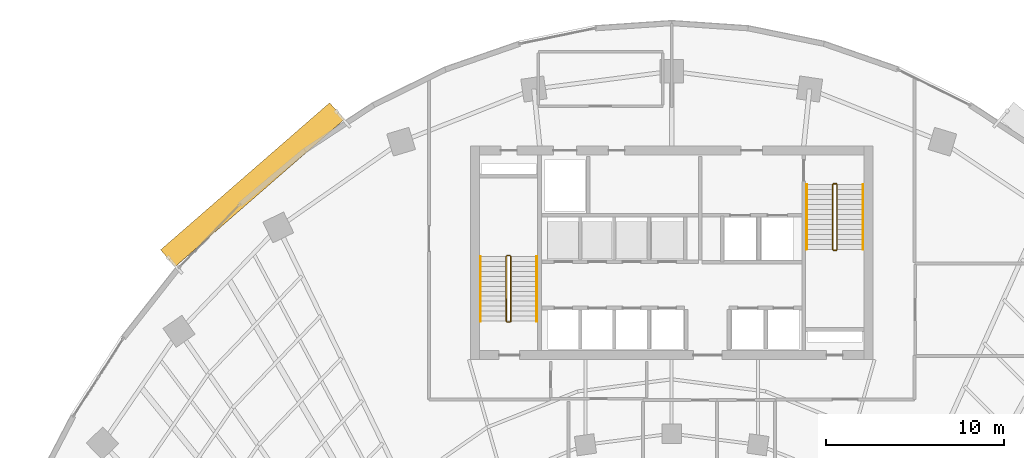
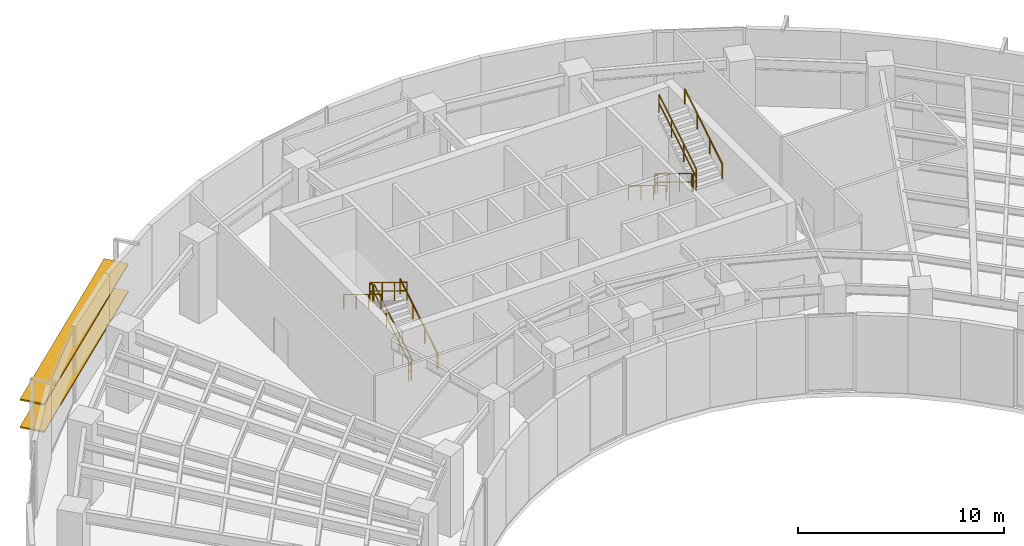
# One storey, part 13 of 15: 12 railings, 2 shading devices.
"""IFC4 building model written with IfcOpenShell, lengths in metres."""

from ifc_helpers import new_model, si_unit, direction, frame, origin, origin_2d, place, context, subcontext, project, spatial, rectangle, extrude, source, transform, mapped, material, material_profile, profile_set, type_object, element, save


model = new_model("IFC4")

# Units and contexts
model_context = context("Model", 3, precision=1e-05, world=origin(), true_north=direction((0.0, 1.0)))
body_context = subcontext(model_context, "Body", "Model", "MODEL_VIEW")
ifc_project = project(units=[si_unit("LENGTHUNIT", "METRE"), si_unit("AREAUNIT", "SQUARE_METRE"), si_unit("VOLUMEUNIT", "CUBIC_METRE"), si_unit("PLANEANGLEUNIT", "RADIAN"), si_unit("MASSUNIT", "GRAM", prefix="KILO")], contexts=[model_context])

# Site, building, storey
site_placement = place(None, origin())
site = spatial("IfcSite", under=ifc_project, at=site_placement, CompositionType="ELEMENT")
building_placement = place(site_placement, origin())
building = spatial("IfcBuilding", under=site, at=building_placement, Name="Breltana Convention Tower", CompositionType="ELEMENT")
storey_placement = place(building_placement, frame((0.0, 0.0, 91.199951171875)))
storey = spatial("IfcBuildingStorey", under=building, at=storey_placement, Name="L21", CompositionType="ELEMENT", Elevation=91.199951171875)

# Railings
ifc_material_1 = material(Name="Steel S275 Painted", Category="steel")
railing_type_1 = type_object("IfcRailingType", Name="RL-STAIR-GUARD-1100", PredefinedType="GUARDRAIL", material=ifc_material_1)
railing_1_placement = place(storey_placement, frame((38.9599609375, 62.360107421875, 0.17138671875)))
element("IfcRailing", 1, at=railing_1_placement, inside=storey, type_object=railing_type_1, Name="L21 ST-1 stair guard 1", PredefinedType="GUARDRAIL", context=body_context, shape_type="SweptSolid", body=[
    extrude(rectangle(XDim=0.048095703125, YDim=0.048095703125, at=origin_2d()), frame((0.0, 0.0, 1.076171875), z_axis=(0.0, 0.852824790078, 0.522197163366), x_axis=(-1.0, 0.0, 0.0)), (0.0, 0.0, 1.0), 4.26806640625),
    extrude(rectangle(XDim=0.048095703125, YDim=0.048095703125, at=origin_2d()), frame((0.0, 0.0, 0.572021484375), z_axis=(0.0, 0.852824790078, 0.522197163366), x_axis=(-1.0, 0.0, 0.0)), (0.0, 0.0, 1.0), 4.26806640625),
    extrude(rectangle(XDim=0.0419921875, YDim=0.0419921875, at=origin_2d()), origin(), (0.0, 0.0, 1.0), 1.052001953125),
    extrude(rectangle(XDim=0.0419921875, YDim=0.0419921875, at=origin_2d()), frame((0.0, 1.21337890625, 0.742919921875)), (0.0, 0.0, 1.0), 1.052001953125),
    extrude(rectangle(XDim=0.0419921875, YDim=0.0419921875, at=origin_2d()), frame((0.0, 2.426513671875, 1.48583984375)), (0.0, 0.0, 1.0), 1.052001953125),
    extrude(rectangle(XDim=0.0419921875, YDim=0.0419921875, at=origin_2d()), frame((0.0, 3.639892578125, 2.228759765625)), (0.0, 0.0, 1.0), 1.052001953125),
])
railing_2_placement = place(storey_placement, frame((38.909912109375, 66.050048828125, 2.400146484375)))
element("IfcRailing", 2, at=railing_2_placement, inside=storey, type_object=railing_type_1, Name="L21 ST-1 stair guard 2", PredefinedType="GUARDRAIL", context=body_context, shape_type="SweptSolid", body=[
    extrude(rectangle(XDim=0.048095703125, YDim=0.048095703125, at=origin_2d()), frame((0.0, 0.0, 1.076171875), z_axis=(-1.0, 0.0, 0.0), x_axis=(0.0, -1.0, 0.0)), (0.0, 0.0, 1.0), 0.14990234375),
    extrude(rectangle(XDim=0.048095703125, YDim=0.048095703125, at=origin_2d()), frame((0.0, 0.0, 0.572021484375), z_axis=(-1.0, 0.0, 0.0), x_axis=(0.0, -1.0, 0.0)), (0.0, 0.0, 1.0), 0.14990234375),
    extrude(rectangle(XDim=0.0419921875, YDim=0.0419921875, at=origin_2d()), origin(), (0.0, 0.0, 1.0), 1.052001953125),
    extrude(rectangle(XDim=0.0419921875, YDim=0.0419921875, at=origin_2d()), frame((-0.14990234375, 0.0, 0.0)), (0.0, 0.0, 1.0), 1.052001953125),
])
railing_3_placement = place(storey_placement, frame((38.7099609375, 66.0, 2.571533203125)))
element("IfcRailing", 3, at=railing_3_placement, inside=storey, type_object=railing_type_1, Name="L21 ST-1 stair guard 3", PredefinedType="GUARDRAIL", context=body_context, shape_type="SweptSolid", body=[
    extrude(rectangle(XDim=0.048095703125, YDim=0.048095703125, at=origin_2d()), frame((0.0, 0.0, 1.076171875), z_axis=(0.0, -0.852850264322, 0.5221555579), x_axis=(1.0, 0.0, 0.0)), (0.0, 0.0, 1.0), 4.267822265625),
    extrude(rectangle(XDim=0.048095703125, YDim=0.048095703125, at=origin_2d()), frame((0.0, 0.0, 0.572021484375), z_axis=(0.0, -0.852850264322, 0.5221555579), x_axis=(1.0, 0.0, 0.0)), (0.0, 0.0, 1.0), 4.267822265625),
    extrude(rectangle(XDim=0.0419921875, YDim=0.0419921875, at=origin_2d()), origin(), (0.0, 0.0, 1.0), 1.052001953125),
    extrude(rectangle(XDim=0.0419921875, YDim=0.0419921875, at=origin_2d()), frame((0.0, -1.21337890625, 0.742919921875)), (0.0, 0.0, 1.0), 1.052001953125),
    extrude(rectangle(XDim=0.0419921875, YDim=0.0419921875, at=origin_2d()), frame((0.0, -2.426513671875, 1.485595703125)), (0.0, 0.0, 1.0), 1.052001953125),
    extrude(rectangle(XDim=0.0419921875, YDim=0.0419921875, at=origin_2d()), frame((0.0, -3.639892578125, 2.228515625)), (0.0, 0.0, 1.0), 1.052001953125),
])
railing_4_placement = place(storey_placement, frame((38.909912109375, 62.31005859375, 0.0)))
element("IfcRailing", 4, at=railing_4_placement, inside=storey, type_object=railing_type_1, Name="L21 ST-1 stair guard 4", PredefinedType="GUARDRAIL", context=body_context, shape_type="SweptSolid", body=[
    extrude(rectangle(XDim=0.048095703125, YDim=0.048095703125, at=origin_2d()), frame((0.0, 0.0, 1.076171875), z_axis=(-1.0, 0.0, 0.0), x_axis=(0.0, -1.0, 0.0)), (0.0, 0.0, 1.0), 0.14990234375),
    extrude(rectangle(XDim=0.048095703125, YDim=0.048095703125, at=origin_2d()), frame((0.0, 0.0, 0.572021484375), z_axis=(-1.0, 0.0, 0.0), x_axis=(0.0, -1.0, 0.0)), (0.0, 0.0, 1.0), 0.14990234375),
    extrude(rectangle(XDim=0.0419921875, YDim=0.0419921875, at=origin_2d()), origin(), (0.0, 0.0, 1.0), 1.052001953125),
    extrude(rectangle(XDim=0.0419921875, YDim=0.0419921875, at=origin_2d()), frame((-0.14990234375, 0.0, 0.0)), (0.0, 0.0, 1.0), 1.052001953125),
])
railing_5_placement = place(storey_placement, frame((57.0400390625, 70.0400390625, 0.17138671875)))
element("IfcRailing", 5, at=railing_5_placement, inside=storey, type_object=railing_type_1, Name="L21 ST-2 stair guard 1", PredefinedType="GUARDRAIL", context=body_context, shape_type="SweptSolid", body=[
    extrude(rectangle(XDim=0.048095703125, YDim=0.048095703125, at=origin_2d()), frame((0.0, 0.0, 1.076171875), z_axis=(0.0, -0.852840387347, 0.522171689878), x_axis=(1.0, 0.0, 0.0)), (0.0, 0.0, 1.0), 4.268310546875),
    extrude(rectangle(XDim=0.048095703125, YDim=0.048095703125, at=origin_2d()), frame((0.0, 0.0, 0.572021484375), z_axis=(0.0, -0.852840387347, 0.522171689878), x_axis=(1.0, 0.0, 0.0)), (0.0, 0.0, 1.0), 4.268310546875),
    extrude(rectangle(XDim=0.0419921875, YDim=0.0419921875, at=origin_2d()), origin(), (0.0, 0.0, 1.0), 1.052001953125),
    extrude(rectangle(XDim=0.0419921875, YDim=0.0419921875, at=origin_2d()), frame((0.0, -1.21337890625, 0.742919921875)), (0.0, 0.0, 1.0), 1.052001953125),
    extrude(rectangle(XDim=0.0419921875, YDim=0.0419921875, at=origin_2d()), frame((0.0, -2.4267578125, 1.48583984375)), (0.0, 0.0, 1.0), 1.052001953125),
    extrude(rectangle(XDim=0.0419921875, YDim=0.0419921875, at=origin_2d()), frame((0.0, -3.64013671875, 2.228759765625)), (0.0, 0.0, 1.0), 1.052001953125),
])
railing_6_placement = place(storey_placement, frame((57.090087890625, 66.35009765625, 2.400146484375)))
element("IfcRailing", 6, at=railing_6_placement, inside=storey, type_object=railing_type_1, Name="L21 ST-2 stair guard 2", PredefinedType="GUARDRAIL", context=body_context, shape_type="SweptSolid", body=[
    extrude(rectangle(XDim=0.048095703125, YDim=0.048095703125, at=origin_2d()), frame((0.0, 0.0, 1.076171875), z_axis=(1.0, 0.0, 0.0), x_axis=(0.0, 1.0, 0.0)), (0.0, 0.0, 1.0), 0.14990234375),
    extrude(rectangle(XDim=0.048095703125, YDim=0.048095703125, at=origin_2d()), frame((0.0, 0.0, 0.572021484375), z_axis=(1.0, 0.0, 0.0), x_axis=(0.0, 1.0, 0.0)), (0.0, 0.0, 1.0), 0.14990234375),
    extrude(rectangle(XDim=0.0419921875, YDim=0.0419921875, at=origin_2d()), origin(), (0.0, 0.0, 1.0), 1.052001953125),
    extrude(rectangle(XDim=0.0419921875, YDim=0.0419921875, at=origin_2d()), frame((0.14990234375, 0.0, 0.0)), (0.0, 0.0, 1.0), 1.052001953125),
])
railing_7_placement = place(storey_placement, frame((57.2900390625, 66.39990234375, 2.571533203125)))
element("IfcRailing", 7, at=railing_7_placement, inside=storey, type_object=railing_type_1, Name="L21 ST-2 stair guard 3", PredefinedType="GUARDRAIL", context=body_context, shape_type="SweptSolid", body=[
    extrude(rectangle(XDim=0.048095703125, YDim=0.048095703125, at=origin_2d()), frame((0.0, 0.0, 1.076171875), z_axis=(0.0, 0.852865859571, 0.52213008492), x_axis=(-1.0, 0.0, 0.0)), (0.0, 0.0, 1.0), 4.26806640625),
    extrude(rectangle(XDim=0.048095703125, YDim=0.048095703125, at=origin_2d()), frame((0.0, 0.0, 0.572021484375), z_axis=(0.0, 0.852865859571, 0.52213008492), x_axis=(-1.0, 0.0, 0.0)), (0.0, 0.0, 1.0), 4.26806640625),
    extrude(rectangle(XDim=0.0419921875, YDim=0.0419921875, at=origin_2d()), origin(), (0.0, 0.0, 1.0), 1.052001953125),
    extrude(rectangle(XDim=0.0419921875, YDim=0.0419921875, at=origin_2d()), frame((0.0, 1.21337890625, 0.742919921875)), (0.0, 0.0, 1.0), 1.052001953125),
    extrude(rectangle(XDim=0.0419921875, YDim=0.0419921875, at=origin_2d()), frame((0.0, 2.4267578125, 1.485595703125)), (0.0, 0.0, 1.0), 1.052001953125),
    extrude(rectangle(XDim=0.0419921875, YDim=0.0419921875, at=origin_2d()), frame((0.0, 3.64013671875, 2.228515625)), (0.0, 0.0, 1.0), 1.052001953125),
])
railing_8_placement = place(storey_placement, frame((57.090087890625, 70.090087890625, 0.0)))
element("IfcRailing", 8, at=railing_8_placement, inside=storey, type_object=railing_type_1, Name="L21 ST-2 stair guard 4", PredefinedType="GUARDRAIL", context=body_context, shape_type="SweptSolid", body=[
    extrude(rectangle(XDim=0.048095703125, YDim=0.048095703125, at=origin_2d()), frame((0.0, 0.0, 1.076171875), z_axis=(1.0, 0.0, 0.0), x_axis=(0.0, 1.0, 0.0)), (0.0, 0.0, 1.0), 0.14990234375),
    extrude(rectangle(XDim=0.048095703125, YDim=0.048095703125, at=origin_2d()), frame((0.0, 0.0, 0.572021484375), z_axis=(1.0, 0.0, 0.0), x_axis=(0.0, 1.0, 0.0)), (0.0, 0.0, 1.0), 0.14990234375),
    extrude(rectangle(XDim=0.0419921875, YDim=0.0419921875, at=origin_2d()), origin(), (0.0, 0.0, 1.0), 1.052001953125),
    extrude(rectangle(XDim=0.0419921875, YDim=0.0419921875, at=origin_2d()), frame((0.14990234375, 0.0, 0.0)), (0.0, 0.0, 1.0), 1.052001953125),
])
ifc_material_2 = material(Name="Stainless Steel 316L", Category="steel")
railing_type_2 = type_object("IfcRailingType", Name="RL-STAIR-HANDRAIL-900", PredefinedType="HANDRAIL", material=ifc_material_2)
railing_9_placement = place(storey_placement, frame((40.419921875, 62.360107421875, 0.17138671875)))
element("IfcRailing", 9, at=railing_9_placement, inside=storey, type_object=railing_type_2, Name="L21 ST-1 stair handrail 1", PredefinedType="HANDRAIL", context=body_context, shape_type="SweptSolid", body=[
    extrude(rectangle(XDim=0.048095703125, YDim=0.048095703125, at=origin_2d()), frame((0.0, 0.0, 0.8759765625), z_axis=(0.0, 0.852824790078, 0.522197163366), x_axis=(-1.0, 0.0, 0.0)), (0.0, 0.0, 1.0), 4.26806640625),
    extrude(rectangle(XDim=0.0419921875, YDim=0.0419921875, at=origin_2d()), origin(), (0.0, 0.0, 1.0), 0.851806640625),
    extrude(rectangle(XDim=0.0419921875, YDim=0.0419921875, at=origin_2d()), frame((0.0, 1.21337890625, 0.742919921875)), (0.0, 0.0, 1.0), 0.851806640625),
    extrude(rectangle(XDim=0.0419921875, YDim=0.0419921875, at=origin_2d()), frame((0.0, 2.426513671875, 1.48583984375)), (0.0, 0.0, 1.0), 0.851806640625),
    extrude(rectangle(XDim=0.0419921875, YDim=0.0419921875, at=origin_2d()), frame((0.0, 3.639892578125, 2.228759765625)), (0.0, 0.0, 1.0), 0.851806640625),
])
railing_10_placement = place(storey_placement, frame((37.25, 66.0, 2.571533203125)))
element("IfcRailing", 10, at=railing_10_placement, inside=storey, type_object=railing_type_2, Name="L21 ST-1 stair handrail 2", PredefinedType="HANDRAIL", context=body_context, shape_type="SweptSolid", body=[
    extrude(rectangle(XDim=0.048095703125, YDim=0.048095703125, at=origin_2d()), frame((0.0, 0.0, 0.8759765625), z_axis=(0.0, -0.852850264322, 0.5221555579), x_axis=(1.0, 0.0, 0.0)), (0.0, 0.0, 1.0), 4.267822265625),
    extrude(rectangle(XDim=0.0419921875, YDim=0.0419921875, at=origin_2d()), origin(), (0.0, 0.0, 1.0), 0.851806640625),
    extrude(rectangle(XDim=0.0419921875, YDim=0.0419921875, at=origin_2d()), frame((0.0, -1.21337890625, 0.742919921875)), (0.0, 0.0, 1.0), 0.851806640625),
    extrude(rectangle(XDim=0.0419921875, YDim=0.0419921875, at=origin_2d()), frame((0.0, -2.426513671875, 1.485595703125)), (0.0, 0.0, 1.0), 0.851806640625),
    extrude(rectangle(XDim=0.0419921875, YDim=0.0419921875, at=origin_2d()), frame((0.0, -3.639892578125, 2.228515625)), (0.0, 0.0, 1.0), 0.851806640625),
])
railing_11_placement = place(storey_placement, frame((55.580078125, 70.0400390625, 0.17138671875)))
element("IfcRailing", 11, at=railing_11_placement, inside=storey, type_object=railing_type_2, Name="L21 ST-2 stair handrail 1", PredefinedType="HANDRAIL", context=body_context, shape_type="SweptSolid", body=[
    extrude(rectangle(XDim=0.048095703125, YDim=0.048095703125, at=origin_2d()), frame((0.0, 0.0, 0.8759765625), z_axis=(0.0, -0.852840387347, 0.522171689878), x_axis=(1.0, 0.0, 0.0)), (0.0, 0.0, 1.0), 4.268310546875),
    extrude(rectangle(XDim=0.0419921875, YDim=0.0419921875, at=origin_2d()), origin(), (0.0, 0.0, 1.0), 0.851806640625),
    extrude(rectangle(XDim=0.0419921875, YDim=0.0419921875, at=origin_2d()), frame((0.0, -1.21337890625, 0.742919921875)), (0.0, 0.0, 1.0), 0.851806640625),
    extrude(rectangle(XDim=0.0419921875, YDim=0.0419921875, at=origin_2d()), frame((0.0, -2.4267578125, 1.48583984375)), (0.0, 0.0, 1.0), 0.851806640625),
    extrude(rectangle(XDim=0.0419921875, YDim=0.0419921875, at=origin_2d()), frame((0.0, -3.64013671875, 2.228759765625)), (0.0, 0.0, 1.0), 0.851806640625),
])
railing_12_placement = place(storey_placement, frame((58.75, 66.39990234375, 2.571533203125)))
element("IfcRailing", 12, at=railing_12_placement, inside=storey, type_object=railing_type_2, Name="L21 ST-2 stair handrail 2", PredefinedType="HANDRAIL", context=body_context, shape_type="SweptSolid", body=[
    extrude(rectangle(XDim=0.048095703125, YDim=0.048095703125, at=origin_2d()), frame((0.0, 0.0, 0.8759765625), z_axis=(0.0, 0.852865859571, 0.52213008492), x_axis=(-1.0, 0.0, 0.0)), (0.0, 0.0, 1.0), 4.26806640625),
    extrude(rectangle(XDim=0.0419921875, YDim=0.0419921875, at=origin_2d()), origin(), (0.0, 0.0, 1.0), 0.851806640625),
    extrude(rectangle(XDim=0.0419921875, YDim=0.0419921875, at=origin_2d()), frame((0.0, 1.21337890625, 0.742919921875)), (0.0, 0.0, 1.0), 0.851806640625),
    extrude(rectangle(XDim=0.0419921875, YDim=0.0419921875, at=origin_2d()), frame((0.0, 2.4267578125, 1.485595703125)), (0.0, 0.0, 1.0), 0.851806640625),
    extrude(rectangle(XDim=0.0419921875, YDim=0.0419921875, at=origin_2d()), frame((0.0, 3.64013671875, 2.228515625)), (0.0, 0.0, 1.0), 0.851806640625),
])

# Shading devices
ifc_material_3 = material(Name="Limestone Warm Buff Honed", Category="masonry")
ifc_material_profile = material_profile(ifc_material_3, rectangle(XDim=1.25, YDim=0.090087890625, at=origin_2d()), Name="STN-LVR-1250X90")
ifc_profile_set = profile_set([ifc_material_profile], Name="Limestone Warm Buff Honed")
shading_device_type = type_object("IfcShadingDeviceType", Name="SHD-OUTER-SKIN-LIMESTONE-1250", PredefinedType="JALOUSIE", material=ifc_profile_set)
shared_shape = source(origin(), body_context, "Body", "SweptSolid", [
    extrude(rectangle(XDim=1.25, YDim=0.090087890625, at=origin_2d()), origin(), (0.0, 0.0, 1.0), 12.59423828125),
])
for number, where, z_axis, x_axis, name in (
    (13, (19.6826171875, 65.894775390625, 1.637939453125), (0.754366759368, 0.656453191295, 0.0), (-0.656453191295, 0.754366759368, 0.0), "L21 outer skin warm limestone louvre 1.1"),
    (14, (19.6826171875, 65.894775390625, 3.276123046875), (0.754366759368, 0.656453191295, 0.0), (-0.656453191295, 0.754366759368, 0.0), "L21 outer skin warm limestone louvre 1.2"),
):
    element("IfcShadingDevice", number, at=place(storey_placement, frame(where, z_axis=z_axis, x_axis=x_axis)), inside=storey, type_object=shading_device_type, Name=name, PredefinedType="JALOUSIE", context=body_context, shape_type="MappedRepresentation", body=[
        mapped(shared_shape, transform((0.0, 0.0, 0.0), scale=1.0)),
    ])

save(model, "model.ifc")
